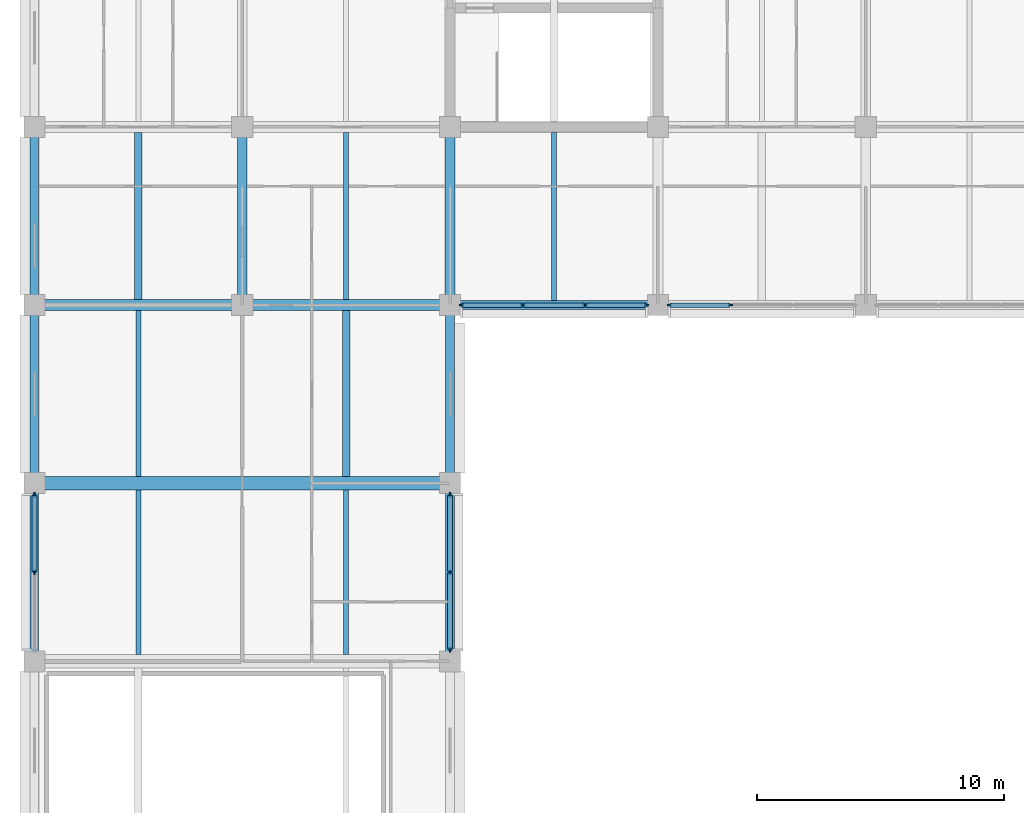
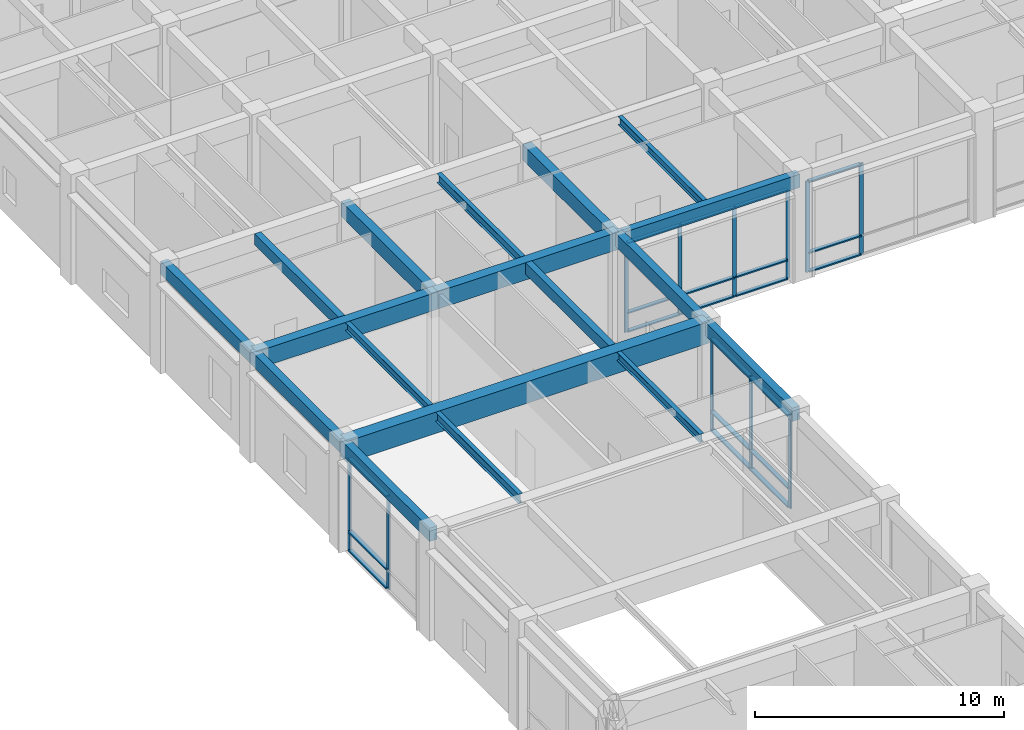
# One storey, part 3 of 58: 32 members, 18 beams, 4 elements without a shape of their own.
"""IFC4 building model written with IfcOpenShell, lengths in metres."""

from ifc_helpers import new_model, si_unit, direction, frame, origin, origin_2d, place, context, subcontext, project, spatial, rectangle, i_section, extrude, material, layer, layer_set, material_profile, profile_set, type_object, element, aggregate, save


model = new_model("IFC4")

# Units and contexts
model_context = context("Model", 3, precision=1e-05, world=origin(), true_north=direction((0.0, 1.0)))
body_context = subcontext(model_context, "Body", "Model", "MODEL_VIEW")
ifc_project = project(units=[si_unit("LENGTHUNIT", "METRE"), si_unit("AREAUNIT", "SQUARE_METRE"), si_unit("VOLUMEUNIT", "CUBIC_METRE"), si_unit("PLANEANGLEUNIT", "RADIAN"), si_unit("MASSUNIT", "GRAM", prefix="KILO")], contexts=[model_context])

# Site, building, storey
site_placement = place(None, origin())
site = spatial("IfcSite", under=ifc_project, at=site_placement, CompositionType="ELEMENT")
building_placement = place(site_placement, origin())
building = spatial("IfcBuilding", under=site, at=building_placement, Name="Chengyuan Square Courthouse", CompositionType="ELEMENT")
storey_placement = place(building_placement, frame((0.0, 0.0, 16.199951171875)))
storey = spatial("IfcBuildingStorey", under=building, at=storey_placement, Name="L04", CompositionType="ELEMENT", Elevation=16.199951171875)

# Beams
ifc_material_1 = material(Name="Concrete C40", Category="concrete")
ifc_material_profile_1 = material_profile(ifc_material_1, rectangle(XDim=0.449951171875, YDim=0.85009765625, at=origin_2d()), Name="RC-BM-450x850")
ifc_profile_set_1 = profile_set([ifc_material_profile_1], Name="Concrete C40")
beam_type_1 = type_object("IfcBeamType", Name="BM-01", PredefinedType="USERDEFINED", material=ifc_profile_set_1)
beam_1_placement = place(storey_placement, frame((0.0, 79.199951171875, 4.775146484375), z_axis=(1.0, 0.0, 0.0), x_axis=(0.0, 1.0, 0.0)))
element("IfcBeam", 1, at=beam_1_placement, inside=storey, type_object=beam_type_1, Name="Girder BM-L04-2861", ObjectType="GIRDER", PredefinedType="USERDEFINED", context=body_context, shape_type="SweptSolid", body=[
    extrude(rectangle(XDim=0.449951171875, YDim=0.85009765625, at=origin_2d()), origin(), (0.0, 0.0, 1.0), 8.39990234375),
])
beam_2_placement = place(storey_placement, frame((8.39990234375, 79.199951171875, 4.775146484375), z_axis=(1.0, 0.0, 0.0), x_axis=(0.0, 1.0, 0.0)))
element("IfcBeam", 2, at=beam_2_placement, inside=storey, type_object=beam_type_1, Name="Girder BM-L04-2862", ObjectType="GIRDER", PredefinedType="USERDEFINED", context=body_context, shape_type="SweptSolid", body=[
    extrude(rectangle(XDim=0.449951171875, YDim=0.85009765625, at=origin_2d()), origin(), (0.0, 0.0, 1.0), 8.400146484375),
])
ifc_material_profile_2 = material_profile(ifc_material_1, rectangle(XDim=0.39990234375, YDim=0.75, at=origin_2d()), Name="RC-BM-400x750")
ifc_profile_set_2 = profile_set([ifc_material_profile_2], Name="Concrete C40")
beam_type_2 = type_object("IfcBeamType", Name="BM-02", PredefinedType="USERDEFINED", material=ifc_profile_set_2)
for number, where, z_axis, x_axis, name in (
    (3, (8.39990234375, 79.199951171875, 4.824951171875), (0.0, 1.0, 0.0), (-1.0, 0.0, 0.0), "Girder BM-L04-2979"),
    (4, (16.800048828125, 79.199951171875, 4.675048828125), (0.0, 1.0, 0.0), (-1.0, 0.0, 0.0), "Girder BM-L04-2989"),
):
    element("IfcBeam", number, at=place(storey_placement, frame(where, z_axis=z_axis, x_axis=x_axis)), inside=storey, type_object=beam_type_2, Name=name, ObjectType="GIRDER", PredefinedType="USERDEFINED", context=body_context, shape_type="SweptSolid", body=[
        extrude(rectangle(XDim=0.39990234375, YDim=0.75, at=origin_2d()), origin(), (0.0, 0.0, 1.0), 7.199951171875),
    ])
ifc_material_profile_3 = material_profile(ifc_material_1, rectangle(XDim=0.35009765625, YDim=0.64990234375, at=origin_2d()), Name="RC-BM-350x650")
ifc_profile_set_3 = profile_set([ifc_material_profile_3], Name="Concrete C40")
beam_type_3 = type_object("IfcBeamType", Name="BM-03", PredefinedType="SPANDREL", material=ifc_profile_set_3)
beam_3_placement = place(storey_placement, frame((16.800048828125, 79.199951171875, 4.72509765625), z_axis=(1.0, 0.0, 0.0), x_axis=(0.0, 1.0, 0.0)))
element("IfcBeam", 5, at=beam_3_placement, inside=storey, type_object=beam_type_3, Name="Girder BM-L04-2863", PredefinedType="SPANDREL", context=body_context, shape_type="SweptSolid", body=[
    extrude(rectangle(XDim=0.35009765625, YDim=0.64990234375, at=origin_2d()), origin(), (0.0, 0.0, 1.0), 8.39990234375),
])
for number, where, z_axis, x_axis, name in (
    (6, (0.0, 64.800048828125, 4.875), (0.0, 1.0, 0.0), (-1.0, 0.0, 0.0), "Girder BM-L04-2973"),
    (7, (0.0, 72.0, 4.875), (0.0, 1.0, 0.0), (-1.0, 0.0, 0.0), "Girder BM-L04-2974"),
    (8, (0.0, 79.199951171875, 4.875), (0.0, 1.0, 0.0), (-1.0, 0.0, 0.0), "Girder BM-L04-2975"),
    (9, (16.800048828125, 64.800048828125, 4.875), (0.0, 1.0, 0.0), (-1.0, 0.0, 0.0), "Girder BM-L04-2987"),
    (10, (16.800048828125, 72.0, 4.875), (0.0, 1.0, 0.0), (-1.0, 0.0, 0.0), "Girder BM-L04-2988"),
):
    element("IfcBeam", number, at=place(storey_placement, frame(where, z_axis=z_axis, x_axis=x_axis)), inside=storey, type_object=beam_type_3, Name=name, PredefinedType="SPANDREL", context=body_context, shape_type="SweptSolid", body=[
        extrude(rectangle(XDim=0.35009765625, YDim=0.64990234375, at=origin_2d()), origin(), (0.0, 0.0, 1.0), 7.199951171875),
    ])
ifc_material_profile_4 = material_profile(ifc_material_1, rectangle(XDim=0.300048828125, YDim=0.550048828125, at=origin_2d()), Name="RC-BM-300x550")
ifc_profile_set_4 = profile_set([ifc_material_profile_4], Name="Concrete C40")
beam_type_4 = type_object("IfcBeamType", Name="BM-04", PredefinedType="BEAM", material=ifc_profile_set_4)
beam_4_placement = place(storey_placement, frame((4.199951171875, 79.425048828125, 4.925048828125), z_axis=(0.0, 1.0, 0.0), x_axis=(-1.0, 0.0, 0.0)))
element("IfcBeam", 11, at=beam_4_placement, inside=storey, type_object=beam_type_4, Name="Secondary Floor Beam SBM-L04-3099", PredefinedType="BEAM", context=body_context, shape_type="SweptSolid", body=[
    extrude(rectangle(XDim=0.300048828125, YDim=0.550048828125, at=origin_2d()), origin(), (0.0, 0.0, 1.0), 6.75),
])
beam_5_placement = place(storey_placement, frame((12.60009765625, 72.27490234375, 4.925048828125), z_axis=(0.0, 1.0, 0.0), x_axis=(-1.0, 0.0, 0.0)))
element("IfcBeam", 12, at=beam_5_placement, inside=storey, type_object=beam_type_4, Name="Secondary Floor Beam SBM-L04-3108", PredefinedType="BEAM", context=body_context, shape_type="SweptSolid", body=[
    extrude(rectangle(XDim=0.300048828125, YDim=0.550048828125, at=origin_2d()), origin(), (0.0, 0.0, 1.0), 6.7001953125),
])
ifc_material_2 = material(Name="Steel Q355B", Category="steel")
ifc_material_profile_5 = material_profile(ifc_material_2, i_section(OverallWidth=0.199951171875, OverallDepth=0.449951171875, WebThickness=0.009033203125, FlangeThickness=0.013916015625, at=origin_2d()), Name="HN 450x200x9x14")
ifc_profile_set_5 = profile_set([ifc_material_profile_5], Name="Steel Q355B")
beam_type_5 = type_object("IfcBeamType", Name="BM-06", PredefinedType="BEAM", material=ifc_profile_set_5)
beam_6_placement = place(storey_placement, frame((4.199951171875, 65.074951171875, 4.97509765625), z_axis=(0.0, 1.0, 0.0), x_axis=(-1.0, 0.0, 0.0)))
element("IfcBeam", 13, at=beam_6_placement, inside=storey, type_object=beam_type_5, Name="Secondary Floor Beam SBM-L04-3097", PredefinedType="BEAM", context=body_context, shape_type="SweptSolid", body=[
    extrude(i_section(OverallWidth=0.199951171875, OverallDepth=0.449951171875, WebThickness=0.009033203125, FlangeThickness=0.013916015625, at=origin_2d()), origin(), (0.0, 0.0, 1.0), 6.650146484375),
])
beam_7_placement = place(storey_placement, frame((12.60009765625, 79.425048828125, 4.97509765625), z_axis=(0.0, 1.0, 0.0), x_axis=(-1.0, 0.0, 0.0)))
element("IfcBeam", 14, at=beam_7_placement, inside=storey, type_object=beam_type_5, Name="Secondary Floor Beam SBM-L04-3109", PredefinedType="BEAM", context=body_context, shape_type="SweptSolid", body=[
    extrude(i_section(OverallWidth=0.199951171875, OverallDepth=0.449951171875, WebThickness=0.009033203125, FlangeThickness=0.013916015625, at=origin_2d()), origin(), (0.0, 0.0, 1.0), 6.75),
])
ifc_material_profile_6 = material_profile(ifc_material_2, i_section(OverallWidth=0.199951171875, OverallDepth=0.39990234375, WebThickness=0.008056640625, FlangeThickness=0.012939453125, at=origin_2d()), Name="HN 400x200x8x13")
ifc_profile_set_6 = profile_set([ifc_material_profile_6], Name="Steel Q355B")
beam_type_6 = type_object("IfcBeamType", Name="BM-07", PredefinedType="BEAM", material=ifc_profile_set_6)
beam_8_placement = place(storey_placement, frame((4.199951171875, 72.27490234375, 5.0), z_axis=(0.0, 1.0, 0.0), x_axis=(-1.0, 0.0, 0.0)))
element("IfcBeam", 15, at=beam_8_placement, inside=storey, type_object=beam_type_6, Name="Secondary Floor Beam SBM-L04-3098", PredefinedType="BEAM", context=body_context, shape_type="SweptSolid", body=[
    extrude(i_section(OverallWidth=0.199951171875, OverallDepth=0.39990234375, WebThickness=0.008056640625, FlangeThickness=0.012939453125, at=origin_2d()), origin(), (0.0, 0.0, 1.0), 6.7001953125),
])
beam_9_placement = place(storey_placement, frame((12.60009765625, 65.074951171875, 5.0), z_axis=(0.0, 1.0, 0.0), x_axis=(-1.0, 0.0, 0.0)))
element("IfcBeam", 16, at=beam_9_placement, inside=storey, type_object=beam_type_6, Name="Secondary Floor Beam SBM-L04-3107", PredefinedType="BEAM", context=body_context, shape_type="SweptSolid", body=[
    extrude(i_section(OverallWidth=0.199951171875, OverallDepth=0.39990234375, WebThickness=0.008056640625, FlangeThickness=0.012939453125, at=origin_2d()), origin(), (0.0, 0.0, 1.0), 6.650146484375),
])
beam_10_placement = place(storey_placement, frame((21.0, 79.375, 4.85009765625), z_axis=(0.0, 1.0, 0.0), x_axis=(-1.0, 0.0, 0.0)))
element("IfcBeam", 17, at=beam_10_placement, inside=storey, type_object=beam_type_6, Name="Secondary Floor Beam SBM-L04-3113", PredefinedType="BEAM", context=body_context, shape_type="SweptSolid", body=[
    extrude(i_section(OverallWidth=0.199951171875, OverallDepth=0.39990234375, WebThickness=0.008056640625, FlangeThickness=0.012939453125, at=origin_2d()), origin(), (0.0, 0.0, 1.0), 6.800048828125),
])

# Curtain wall, members
ifc_material_3 = material(Name="Unitised Aluminium and Triple Low-E Glass", Category="aluminium")
ifc_layer_1 = layer(ifc_material_3, 0.179931640625)
ifc_layer_set_1 = layer_set([ifc_layer_1], Name="Unitised Aluminium and Triple Low-E Glass")
curtain_wall_type_1 = type_object("IfcCurtainWallType", Name="CW-10", PredefinedType="USERDEFINED", material=ifc_layer_set_1)
curtain_wall_1_placement = place(storey_placement, origin())
curtain_wall_1 = element("IfcCurtainWall", 18, at=curtain_wall_1_placement, inside=storey, type_object=curtain_wall_type_1, Name="Unitised Curtain Wall CW-L04-134", ObjectType="UNITISED CURTAIN WALL", PredefinedType="USERDEFINED")
ifc_material_4 = material(Name="Aluminium 6063-T6 Frame", Category="aluminium")
ifc_material_profile_7 = material_profile(ifc_material_4, rectangle(XDim=0.06494140625, YDim=0.179931640625, at=origin_2d()), Name="CW-MUL-65x180")
ifc_profile_set_7 = profile_set([ifc_material_profile_7], Name="Aluminium 6063-T6 Frame")
member_type_1 = type_object("IfcMemberType", Name="CWM-02", PredefinedType="MULLION", material=ifc_profile_set_7)
member_1_placement = place(storey_placement, frame((17.257568359375, 79.199951171875, 0.0), z_axis=(0.0, 0.0, 1.0), x_axis=(0.0, 1.0, 0.0)))
member_1 = element("IfcMember", 19, at=member_1_placement, type_object=member_type_1, Name="CW-10 mullion 1", PredefinedType="MULLION", context=body_context, shape_type="SweptSolid", body=[
    extrude(rectangle(XDim=0.06494140625, YDim=0.179931640625, at=origin_2d()), origin(), (0.0, 0.0, 1.0), 4.400146484375),
])
member_2_placement = place(storey_placement, frame((19.74169921875, 79.199951171875, 0.0), z_axis=(0.0, 0.0, 1.0), x_axis=(0.0, 1.0, 0.0)))
member_2 = element("IfcMember", 20, at=member_2_placement, type_object=member_type_1, Name="CW-10 mullion 2", PredefinedType="MULLION", context=body_context, shape_type="SweptSolid", body=[
    extrude(rectangle(XDim=0.06494140625, YDim=0.179931640625, at=origin_2d()), origin(), (0.0, 0.0, 1.0), 4.400146484375),
])
member_3_placement = place(storey_placement, frame((22.25830078125, 79.199951171875, 0.0), z_axis=(0.0, 0.0, 1.0), x_axis=(0.0, 1.0, 0.0)))
member_3 = element("IfcMember", 21, at=member_3_placement, type_object=member_type_1, Name="CW-10 mullion 3", PredefinedType="MULLION", context=body_context, shape_type="SweptSolid", body=[
    extrude(rectangle(XDim=0.06494140625, YDim=0.179931640625, at=origin_2d()), origin(), (0.0, 0.0, 1.0), 4.400146484375),
])
member_4_placement = place(storey_placement, frame((24.742431640625, 79.199951171875, 0.0), z_axis=(0.0, 0.0, 1.0), x_axis=(0.0, 1.0, 0.0)))
member_4 = element("IfcMember", 22, at=member_4_placement, type_object=member_type_1, Name="CW-10 mullion 4", PredefinedType="MULLION", context=body_context, shape_type="SweptSolid", body=[
    extrude(rectangle(XDim=0.06494140625, YDim=0.179931640625, at=origin_2d()), origin(), (0.0, 0.0, 1.0), 4.400146484375),
])

curtain_wall_2_placement = place(storey_placement, origin())
curtain_wall_2 = element("IfcCurtainWall", 23, at=curtain_wall_2_placement, inside=storey, type_object=curtain_wall_type_1, Name="Unitised Curtain Wall CW-L04-135", ObjectType="UNITISED CURTAIN WALL", PredefinedType="USERDEFINED")
member_5_placement = place(storey_placement, frame((25.657470703125, 79.199951171875, 0.0), z_axis=(0.0, 0.0, 1.0), x_axis=(0.0, 1.0, 0.0)))
member_5 = element("IfcMember", 24, at=member_5_placement, type_object=member_type_1, Name="CW-10 mullion 1", PredefinedType="MULLION", context=body_context, shape_type="SweptSolid", body=[
    extrude(rectangle(XDim=0.06494140625, YDim=0.179931640625, at=origin_2d()), origin(), (0.0, 0.0, 1.0), 4.469970703125),
])
member_6_placement = place(storey_placement, frame((28.1416015625, 79.199951171875, 0.0), z_axis=(0.0, 0.0, 1.0), x_axis=(0.0, 1.0, 0.0)))
member_6 = element("IfcMember", 25, at=member_6_placement, type_object=member_type_1, Name="CW-10 mullion 2", PredefinedType="MULLION", context=body_context, shape_type="SweptSolid", body=[
    extrude(rectangle(XDim=0.06494140625, YDim=0.179931640625, at=origin_2d()), origin(), (0.0, 0.0, 1.0), 4.469970703125),
])

ifc_layer_2 = layer(ifc_material_3, 0.199951171875)
ifc_layer_set_2 = layer_set([ifc_layer_2], Name="Unitised Aluminium and Triple Low-E Glass")
curtain_wall_type_2 = type_object("IfcCurtainWallType", Name="CW-23", PredefinedType="USERDEFINED", material=ifc_layer_set_2)
curtain_wall_3_placement = place(storey_placement, origin())
curtain_wall_3 = element("IfcCurtainWall", 26, at=curtain_wall_3_placement, inside=storey, type_object=curtain_wall_type_2, Name="Unitised Curtain Wall CW-L04-130", ObjectType="UNITISED CURTAIN WALL", PredefinedType="USERDEFINED")
ifc_material_profile_8 = material_profile(ifc_material_4, rectangle(XDim=0.070068359375, YDim=0.199951171875, at=origin_2d()), Name="CW-MUL-70x200")
ifc_profile_set_8 = profile_set([ifc_material_profile_8], Name="Aluminium 6063-T6 Frame")
member_type_2 = type_object("IfcMemberType", Name="CWM-03", PredefinedType="MULLION", material=ifc_profile_set_8)
member_7_placement = place(storey_placement, frame((0.0, 68.39990234375, 0.0), z_axis=(0.0, 0.0, 1.0), x_axis=(-1.0, 0.0, 0.0)))
member_7 = element("IfcMember", 27, at=member_7_placement, type_object=member_type_2, Name="CW-23 mullion 2", PredefinedType="MULLION", context=body_context, shape_type="SweptSolid", body=[
    extrude(rectangle(XDim=0.070068359375, YDim=0.199951171875, at=origin_2d()), origin(), (0.0, 0.0, 1.0), 4.550048828125),
])
member_8_placement = place(storey_placement, frame((0.0, 71.5400390625, 0.0), z_axis=(0.0, 0.0, 1.0), x_axis=(-1.0, 0.0, 0.0)))
member_8 = element("IfcMember", 28, at=member_8_placement, type_object=member_type_2, Name="CW-23 mullion 3", PredefinedType="MULLION", context=body_context, shape_type="SweptSolid", body=[
    extrude(rectangle(XDim=0.070068359375, YDim=0.199951171875, at=origin_2d()), origin(), (0.0, 0.0, 1.0), 4.550048828125),
])

curtain_wall_4_placement = place(storey_placement, origin())
curtain_wall_4 = element("IfcCurtainWall", 29, at=curtain_wall_4_placement, inside=storey, type_object=curtain_wall_type_2, Name="Unitised Curtain Wall CW-L04-132", ObjectType="UNITISED CURTAIN WALL", PredefinedType="USERDEFINED")
member_9_placement = place(storey_placement, frame((16.800048828125, 65.260009765625, 0.0), z_axis=(0.0, 0.0, 1.0), x_axis=(-1.0, 0.0, 0.0)))
member_9 = element("IfcMember", 30, at=member_9_placement, type_object=member_type_2, Name="CW-23 mullion 1", PredefinedType="MULLION", context=body_context, shape_type="SweptSolid", body=[
    extrude(rectangle(XDim=0.070068359375, YDim=0.199951171875, at=origin_2d()), origin(), (0.0, 0.0, 1.0), 4.550048828125),
])
member_10_placement = place(storey_placement, frame((16.800048828125, 68.39990234375, 0.0), z_axis=(0.0, 0.0, 1.0), x_axis=(-1.0, 0.0, 0.0)))
member_10 = element("IfcMember", 31, at=member_10_placement, type_object=member_type_2, Name="CW-23 mullion 2", PredefinedType="MULLION", context=body_context, shape_type="SweptSolid", body=[
    extrude(rectangle(XDim=0.070068359375, YDim=0.199951171875, at=origin_2d()), origin(), (0.0, 0.0, 1.0), 4.550048828125),
])
member_11_placement = place(storey_placement, frame((16.800048828125, 71.5400390625, 0.0), z_axis=(0.0, 0.0, 1.0), x_axis=(-1.0, 0.0, 0.0)))
member_11 = element("IfcMember", 32, at=member_11_placement, type_object=member_type_2, Name="CW-23 mullion 3", PredefinedType="MULLION", context=body_context, shape_type="SweptSolid", body=[
    extrude(rectangle(XDim=0.070068359375, YDim=0.199951171875, at=origin_2d()), origin(), (0.0, 0.0, 1.0), 4.550048828125),
])

# Member
ifc_material_profile_9 = material_profile(ifc_material_4, rectangle(XDim=0.179931640625, YDim=0.06494140625, at=origin_2d()), Name="CW-TRN-65x140")
ifc_profile_set_9 = profile_set([ifc_material_profile_9], Name="Aluminium 6063-T6 Frame")
member_type_3 = type_object("IfcMemberType", Name="CWT-02", PredefinedType="USERDEFINED", material=ifc_profile_set_9)
member_12_placement = place(storey_placement, frame((17.2900390625, 79.199951171875, 0.032470703125), z_axis=(1.0, 0.0, 0.0), x_axis=(0.0, 1.0, 0.0)))
member_12 = element("IfcMember", 33, at=member_12_placement, type_object=member_type_3, Name="CW-10 transom 1.1", ObjectType="TRANSOM", PredefinedType="USERDEFINED", context=body_context, shape_type="SweptSolid", body=[
    extrude(rectangle(XDim=0.179931640625, YDim=0.06494140625, at=origin_2d()), origin(), (0.0, 0.0, 1.0), 2.419189453125),
])

member_13_placement = place(storey_placement, frame((17.2900390625, 79.199951171875, 0.949951171875), z_axis=(1.0, 0.0, 0.0), x_axis=(0.0, 1.0, 0.0)))
member_13 = element("IfcMember", 34, at=member_13_placement, type_object=member_type_3, Name="CW-10 transom 1.2", ObjectType="TRANSOM", PredefinedType="USERDEFINED", context=body_context, shape_type="SweptSolid", body=[
    extrude(rectangle(XDim=0.179931640625, YDim=0.06494140625, at=origin_2d()), origin(), (0.0, 0.0, 1.0), 2.419189453125),
])

member_14_placement = place(storey_placement, frame((17.2900390625, 79.199951171875, 4.367431640625), z_axis=(1.0, 0.0, 0.0), x_axis=(0.0, 1.0, 0.0)))
member_14 = element("IfcMember", 35, at=member_14_placement, type_object=member_type_3, Name="CW-10 transom 1.3", ObjectType="TRANSOM", PredefinedType="USERDEFINED", context=body_context, shape_type="SweptSolid", body=[
    extrude(rectangle(XDim=0.179931640625, YDim=0.06494140625, at=origin_2d()), origin(), (0.0, 0.0, 1.0), 2.419189453125),
])

member_15_placement = place(storey_placement, frame((19.774169921875, 79.199951171875, 0.032470703125), z_axis=(1.0, 0.0, 0.0), x_axis=(0.0, 1.0, 0.0)))
member_15 = element("IfcMember", 36, at=member_15_placement, type_object=member_type_3, Name="CW-10 transom 2.1", ObjectType="TRANSOM", PredefinedType="USERDEFINED", context=body_context, shape_type="SweptSolid", body=[
    extrude(rectangle(XDim=0.179931640625, YDim=0.06494140625, at=origin_2d()), origin(), (0.0, 0.0, 1.0), 2.45166015625),
])

member_16_placement = place(storey_placement, frame((19.774169921875, 79.199951171875, 0.949951171875), z_axis=(1.0, 0.0, 0.0), x_axis=(0.0, 1.0, 0.0)))
member_16 = element("IfcMember", 37, at=member_16_placement, type_object=member_type_3, Name="CW-10 transom 2.2", ObjectType="TRANSOM", PredefinedType="USERDEFINED", context=body_context, shape_type="SweptSolid", body=[
    extrude(rectangle(XDim=0.179931640625, YDim=0.06494140625, at=origin_2d()), origin(), (0.0, 0.0, 1.0), 2.45166015625),
])

member_17_placement = place(storey_placement, frame((19.774169921875, 79.199951171875, 4.367431640625), z_axis=(1.0, 0.0, 0.0), x_axis=(0.0, 1.0, 0.0)))
member_17 = element("IfcMember", 38, at=member_17_placement, type_object=member_type_3, Name="CW-10 transom 2.3", ObjectType="TRANSOM", PredefinedType="USERDEFINED", context=body_context, shape_type="SweptSolid", body=[
    extrude(rectangle(XDim=0.179931640625, YDim=0.06494140625, at=origin_2d()), origin(), (0.0, 0.0, 1.0), 2.45166015625),
])

member_18_placement = place(storey_placement, frame((22.290771484375, 79.199951171875, 0.032470703125), z_axis=(1.0, 0.0, 0.0), x_axis=(0.0, 1.0, 0.0)))
member_18 = element("IfcMember", 39, at=member_18_placement, type_object=member_type_3, Name="CW-10 transom 3.1", ObjectType="TRANSOM", PredefinedType="USERDEFINED", context=body_context, shape_type="SweptSolid", body=[
    extrude(rectangle(XDim=0.179931640625, YDim=0.06494140625, at=origin_2d()), origin(), (0.0, 0.0, 1.0), 2.419189453125),
])

member_19_placement = place(storey_placement, frame((22.290771484375, 79.199951171875, 0.949951171875), z_axis=(1.0, 0.0, 0.0), x_axis=(0.0, 1.0, 0.0)))
member_19 = element("IfcMember", 40, at=member_19_placement, type_object=member_type_3, Name="CW-10 transom 3.2", ObjectType="TRANSOM", PredefinedType="USERDEFINED", context=body_context, shape_type="SweptSolid", body=[
    extrude(rectangle(XDim=0.179931640625, YDim=0.06494140625, at=origin_2d()), origin(), (0.0, 0.0, 1.0), 2.419189453125),
])

member_20_placement = place(storey_placement, frame((22.290771484375, 79.199951171875, 4.367431640625), z_axis=(1.0, 0.0, 0.0), x_axis=(0.0, 1.0, 0.0)))
member_20 = element("IfcMember", 41, at=member_20_placement, type_object=member_type_3, Name="CW-10 transom 3.3", ObjectType="TRANSOM", PredefinedType="USERDEFINED", context=body_context, shape_type="SweptSolid", body=[
    extrude(rectangle(XDim=0.179931640625, YDim=0.06494140625, at=origin_2d()), origin(), (0.0, 0.0, 1.0), 2.419189453125),
])

aggregate(curtain_wall_1, [member_1, member_2, member_3, member_4, member_12, member_13, member_14, member_15, member_16, member_17, member_18, member_19, member_20])

member_21_placement = place(storey_placement, frame((25.68994140625, 79.199951171875, 0.032470703125), z_axis=(1.0, 0.0, 0.0), x_axis=(0.0, 1.0, 0.0)))
member_21 = element("IfcMember", 42, at=member_21_placement, type_object=member_type_3, Name="CW-10 transom 1.1", ObjectType="TRANSOM", PredefinedType="USERDEFINED", context=body_context, shape_type="SweptSolid", body=[
    extrude(rectangle(XDim=0.179931640625, YDim=0.06494140625, at=origin_2d()), origin(), (0.0, 0.0, 1.0), 2.419189453125),
])

member_22_placement = place(storey_placement, frame((25.68994140625, 79.199951171875, 0.949951171875), z_axis=(1.0, 0.0, 0.0), x_axis=(0.0, 1.0, 0.0)))
member_22 = element("IfcMember", 43, at=member_22_placement, type_object=member_type_3, Name="CW-10 transom 1.2", ObjectType="TRANSOM", PredefinedType="USERDEFINED", context=body_context, shape_type="SweptSolid", body=[
    extrude(rectangle(XDim=0.179931640625, YDim=0.06494140625, at=origin_2d()), origin(), (0.0, 0.0, 1.0), 2.419189453125),
])

member_23_placement = place(storey_placement, frame((25.68994140625, 79.199951171875, 4.4375), z_axis=(1.0, 0.0, 0.0), x_axis=(0.0, 1.0, 0.0)))
member_23 = element("IfcMember", 44, at=member_23_placement, type_object=member_type_3, Name="CW-10 transom 1.3", ObjectType="TRANSOM", PredefinedType="USERDEFINED", context=body_context, shape_type="SweptSolid", body=[
    extrude(rectangle(XDim=0.179931640625, YDim=0.06494140625, at=origin_2d()), origin(), (0.0, 0.0, 1.0), 2.419189453125),
])

aggregate(curtain_wall_2, [member_5, member_6, member_21, member_22, member_23])

ifc_material_profile_10 = material_profile(ifc_material_4, rectangle(XDim=0.199951171875, YDim=0.070068359375, at=origin_2d()), Name="CW-TRN-70x160")
ifc_profile_set_10 = profile_set([ifc_material_profile_10], Name="Aluminium 6063-T6 Frame")
member_type_4 = type_object("IfcMemberType", Name="CWT-03", PredefinedType="USERDEFINED", material=ifc_profile_set_10)
member_24_placement = place(storey_placement, frame((0.0, 68.43505859375, 0.03515625), z_axis=(0.0, 1.0, 0.0), x_axis=(-1.0, 0.0, 0.0)))
member_24 = element("IfcMember", 45, at=member_24_placement, type_object=member_type_4, Name="CW-23 transom 2.1", ObjectType="TRANSOM", PredefinedType="USERDEFINED", context=body_context, shape_type="SweptSolid", body=[
    extrude(rectangle(XDim=0.199951171875, YDim=0.070068359375, at=origin_2d()), origin(), (0.0, 0.0, 1.0), 3.06982421875),
])

member_25_placement = place(storey_placement, frame((0.0, 68.43505859375, 0.949951171875), z_axis=(0.0, 1.0, 0.0), x_axis=(-1.0, 0.0, 0.0)))
member_25 = element("IfcMember", 46, at=member_25_placement, type_object=member_type_4, Name="CW-23 transom 2.2", ObjectType="TRANSOM", PredefinedType="USERDEFINED", context=body_context, shape_type="SweptSolid", body=[
    extrude(rectangle(XDim=0.199951171875, YDim=0.070068359375, at=origin_2d()), origin(), (0.0, 0.0, 1.0), 3.06982421875),
])

member_26_placement = place(storey_placement, frame((0.0, 68.43505859375, 4.51513671875), z_axis=(0.0, 1.0, 0.0), x_axis=(-1.0, 0.0, 0.0)))
member_26 = element("IfcMember", 47, at=member_26_placement, type_object=member_type_4, Name="CW-23 transom 2.3", ObjectType="TRANSOM", PredefinedType="USERDEFINED", context=body_context, shape_type="SweptSolid", body=[
    extrude(rectangle(XDim=0.199951171875, YDim=0.070068359375, at=origin_2d()), origin(), (0.0, 0.0, 1.0), 3.06982421875),
])

aggregate(curtain_wall_3, [member_7, member_8, member_24, member_25, member_26])

member_27_placement = place(storey_placement, frame((16.800048828125, 65.294921875, 0.03515625), z_axis=(0.0, 1.0, 0.0), x_axis=(-1.0, 0.0, 0.0)))
member_27 = element("IfcMember", 48, at=member_27_placement, type_object=member_type_4, Name="CW-23 transom 1.1", ObjectType="TRANSOM", PredefinedType="USERDEFINED", context=body_context, shape_type="SweptSolid", body=[
    extrude(rectangle(XDim=0.199951171875, YDim=0.070068359375, at=origin_2d()), origin(), (0.0, 0.0, 1.0), 3.070068359375),
])

member_28_placement = place(storey_placement, frame((16.800048828125, 65.294921875, 0.949951171875), z_axis=(0.0, 1.0, 0.0), x_axis=(-1.0, 0.0, 0.0)))
member_28 = element("IfcMember", 49, at=member_28_placement, type_object=member_type_4, Name="CW-23 transom 1.2", ObjectType="TRANSOM", PredefinedType="USERDEFINED", context=body_context, shape_type="SweptSolid", body=[
    extrude(rectangle(XDim=0.199951171875, YDim=0.070068359375, at=origin_2d()), origin(), (0.0, 0.0, 1.0), 3.070068359375),
])

member_29_placement = place(storey_placement, frame((16.800048828125, 65.294921875, 4.51513671875), z_axis=(0.0, 1.0, 0.0), x_axis=(-1.0, 0.0, 0.0)))
member_29 = element("IfcMember", 50, at=member_29_placement, type_object=member_type_4, Name="CW-23 transom 1.3", ObjectType="TRANSOM", PredefinedType="USERDEFINED", context=body_context, shape_type="SweptSolid", body=[
    extrude(rectangle(XDim=0.199951171875, YDim=0.070068359375, at=origin_2d()), origin(), (0.0, 0.0, 1.0), 3.070068359375),
])

member_30_placement = place(storey_placement, frame((16.800048828125, 68.43505859375, 0.03515625), z_axis=(0.0, 1.0, 0.0), x_axis=(-1.0, 0.0, 0.0)))
member_30 = element("IfcMember", 51, at=member_30_placement, type_object=member_type_4, Name="CW-23 transom 2.1", ObjectType="TRANSOM", PredefinedType="USERDEFINED", context=body_context, shape_type="SweptSolid", body=[
    extrude(rectangle(XDim=0.199951171875, YDim=0.070068359375, at=origin_2d()), origin(), (0.0, 0.0, 1.0), 3.06982421875),
])

member_31_placement = place(storey_placement, frame((16.800048828125, 68.43505859375, 0.949951171875), z_axis=(0.0, 1.0, 0.0), x_axis=(-1.0, 0.0, 0.0)))
member_31 = element("IfcMember", 52, at=member_31_placement, type_object=member_type_4, Name="CW-23 transom 2.2", ObjectType="TRANSOM", PredefinedType="USERDEFINED", context=body_context, shape_type="SweptSolid", body=[
    extrude(rectangle(XDim=0.199951171875, YDim=0.070068359375, at=origin_2d()), origin(), (0.0, 0.0, 1.0), 3.06982421875),
])

member_32_placement = place(storey_placement, frame((16.800048828125, 68.43505859375, 4.51513671875), z_axis=(0.0, 1.0, 0.0), x_axis=(-1.0, 0.0, 0.0)))
member_32 = element("IfcMember", 53, at=member_32_placement, type_object=member_type_4, Name="CW-23 transom 2.3", ObjectType="TRANSOM", PredefinedType="USERDEFINED", context=body_context, shape_type="SweptSolid", body=[
    extrude(rectangle(XDim=0.199951171875, YDim=0.070068359375, at=origin_2d()), origin(), (0.0, 0.0, 1.0), 3.06982421875),
])

aggregate(curtain_wall_4, [member_9, member_10, member_11, member_27, member_28, member_29, member_30, member_31, member_32])

# Beam
ifc_material_5 = material(Name="Post-tensioned Concrete C50", Category="concrete")
ifc_material_profile_11 = material_profile(ifc_material_5, rectangle(XDim=0.550048828125, YDim=1.050048828125, at=origin_2d()), Name="PT-BM-550x1050")
ifc_profile_set_11 = profile_set([ifc_material_profile_11], Name="Post-tensioned Concrete C50")
beam_type_7 = type_object("IfcBeamType", Name="PT-01", PredefinedType="USERDEFINED", material=ifc_profile_set_11)
beam_11_placement = place(storey_placement, frame((0.0, 72.0, 4.675048828125), z_axis=(1.0, 0.0, 0.0), x_axis=(0.0, 1.0, 0.0)))
element("IfcBeam", 54, at=beam_11_placement, inside=storey, type_object=beam_type_7, Name="Girder BM-L04-2859", ObjectType="GIRDER", PredefinedType="USERDEFINED", context=body_context, shape_type="SweptSolid", body=[
    extrude(rectangle(XDim=0.550048828125, YDim=1.050048828125, at=origin_2d()), origin(), (0.0, 0.0, 1.0), 16.800048828125),
])

save(model, "model.ifc")
